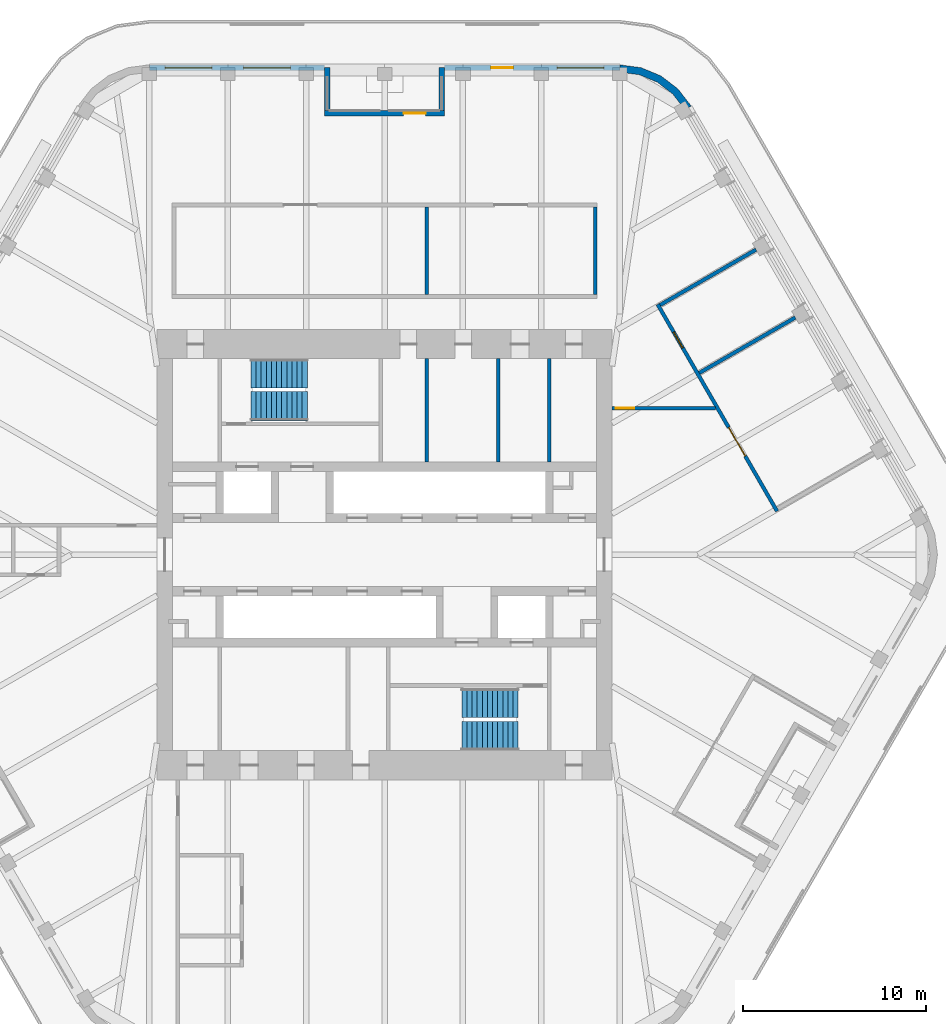
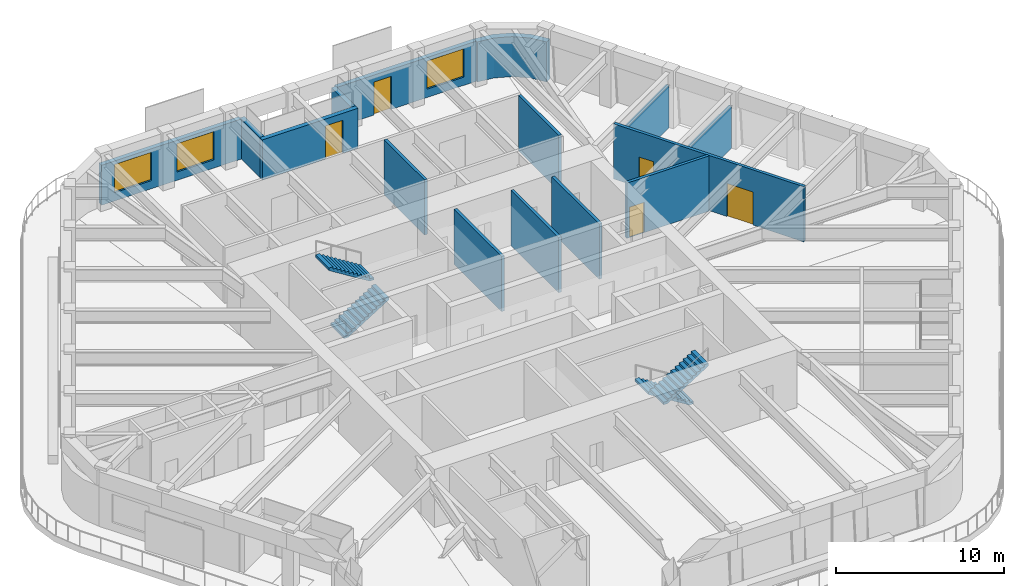
# One storey, part 16 of 19: 15 walls, 5 doors, 4 stair flights, 3 windows, 8 openings, 2 elements without a shape of their own.
"""IFC4 building model written with IfcOpenShell, lengths in metres."""

import ifcopenshell
import ifcopenshell.guid

model = None  # the IFC model being written
_history = None  # IfcOwnerHistory: only IFC2X3 demands one
_inside = {}  # id of a spatial element -> (the spatial element, [elements in it])
_under = {}  # id of a project, library or spatial element -> (it, [spatial elements below it])
_declared = {}  # id of a project -> (the project, [libraries it declares])
_typed = {}  # id of a type object -> (the type object, [elements of that type])
_made_of = {}  # id of a material, layer set ... -> (it, [elements and type objects made of it])


def new_model(schema):
    """Start an empty IFC model of exactly this schema.

    Asked for "IFC4X3", IfcOpenShell would pick the latest addendum, in which some entities
    have other attributes; the version numbers below select the first issue.
    IFC2X3 requires an IfcOwnerHistory on every rooted entity: one is made here for all.
    """
    global model, _history
    if schema == "IFC4X3":
        model = ifcopenshell.file(schema_version=(4, 3, 0, 0))
    else:
        model = ifcopenshell.file(schema=schema)
    _inside.clear()
    _under.clear()
    _declared.clear()
    _typed.clear()
    _made_of.clear()
    _history = None
    if model.schema == "IFC2X3":
        org = make("IfcOrganization", Name="unknown")
        user = make(
            "IfcPersonAndOrganization",
            ThePerson=make("IfcPerson", FamilyName="unknown"),
            TheOrganization=org,
        )
        app = make(
            "IfcApplication",
            ApplicationDeveloper=org,
            Version="unknown",
            ApplicationFullName="unknown",
            ApplicationIdentifier="unknown",
        )
        _history = make(
            "IfcOwnerHistory",
            OwningUser=user,
            OwningApplication=app,
            ChangeAction="ADDED",
            CreationDate=0,
        )
    return model


def make(cls, **values):
    """One entity of the class cls with the attributes given. An attribute that is None is left unset."""
    return model.create_entity(
        cls, **{name: value for name, value in values.items() if value is not None}
    )


def rooted(cls, **values):
    """An entity with a GlobalId (a new one), such as an element, a storey or a relation."""
    return make(cls, GlobalId=ifcopenshell.guid.new(), OwnerHistory=_history, **values)


def si_unit(unit_type, name, prefix=None):
    """IfcSIUnit, for example si_unit("LENGTHUNIT", "METRE", prefix="MILLI")."""
    return make("IfcSIUnit", UnitType=unit_type, Prefix=prefix, Name=name)


def assignment(units):
    """IfcUnitAssignment: the units of a project."""
    return None if units is None else make("IfcUnitAssignment", Units=units)


def point(xyz):
    """IfcCartesianPoint."""
    return None if xyz is None else make("IfcCartesianPoint", Coordinates=xyz)


def direction(xyz):
    """IfcDirection."""
    return None if xyz is None else make("IfcDirection", DirectionRatios=xyz)


def frame(location, z_axis=None, x_axis=None):
    """IfcAxis2Placement3D, a coordinate frame: its origin and axes. An axis left out is left unset."""
    return make(
        "IfcAxis2Placement3D",
        Location=point(location),
        Axis=direction(z_axis),
        RefDirection=direction(x_axis),
    )


def frame_2d(location, x_axis=None):
    """IfcAxis2Placement2D, a coordinate frame in the plane: its origin and x axis."""
    return make(
        "IfcAxis2Placement2D", Location=point(location), RefDirection=direction(x_axis)
    )


def origin():
    """The frame at (0, 0, 0) with its axes left unset."""
    return frame((0.0, 0.0, 0.0))


def place(relative_to, where):
    """IfcLocalPlacement: puts the frame where relative to a parent placement (None: the world)."""
    return make(
        "IfcLocalPlacement", PlacementRelTo=relative_to, RelativePlacement=where
    )


def context(
    kind, dimensions, precision=None, world=None, true_north=None, identifier=None
):
    """IfcGeometricRepresentationContext, for example the 3D "Model" context."""
    return make(
        "IfcGeometricRepresentationContext",
        ContextIdentifier=identifier,
        ContextType=kind,
        CoordinateSpaceDimension=dimensions,
        Precision=precision,
        WorldCoordinateSystem=world,
        TrueNorth=true_north,
    )


def subcontext(parent, identifier, kind, view, scale=None):
    """IfcGeometricRepresentationSubContext, for example "Body" below "Model"."""
    return make(
        "IfcGeometricRepresentationSubContext",
        ContextIdentifier=identifier,
        ContextType=kind,
        ParentContext=parent,
        TargetScale=scale,
        TargetView=view,
    )


def project(units=None, contexts=None):
    """IfcProject with its units and contexts."""
    return rooted(
        "IfcProject",
        Name="project",
        RepresentationContexts=contexts,
        UnitsInContext=assignment(units),
    )


def spatial(cls, under=None, at=None, **own):
    """A site, building, storey or space (cls), placed at a placement, below another one or the project."""
    s = rooted(cls, ObjectPlacement=at, **own)
    if under is not None:
        _under.setdefault(under.id(), (under, []))[1].append(s)
    return s


def polyline(points):
    """IfcPolyline through the points."""
    return make("IfcPolyline", Points=[point(p) for p in points])


def profile(cls, at=None, kind="AREA", **sizes):
    """A parametric profile (cls). Its sizes go by their IFC names, for example OverallWidth=200.0."""
    return make(cls, ProfileType=kind, Position=at, **sizes)


def rectangle(**sizes):
    """IfcRectangleProfileDef."""
    return profile("IfcRectangleProfileDef", **sizes)


def outline(outer, holes=None, kind="AREA"):
    """IfcArbitraryClosedProfileDef: a profile drawn as a closed curve; with holes, ...WithVoids."""
    if holes is None:
        return make("IfcArbitraryClosedProfileDef", ProfileType=kind, OuterCurve=outer)
    return make(
        "IfcArbitraryProfileDefWithVoids",
        ProfileType=kind,
        OuterCurve=outer,
        InnerCurves=holes,
    )


def extrude(swept, where, along, depth):
    """IfcExtrudedAreaSolid: the profile swept, set in the frame where, extruded along a direction by depth."""
    return make(
        "IfcExtrudedAreaSolid",
        SweptArea=swept,
        Position=where,
        ExtrudedDirection=direction(along),
        Depth=depth,
    )


def shape(context_of_items, identifier, shape_type, items):
    """IfcShapeRepresentation: the items that make up one representation, for example the "Body"."""
    return make(
        "IfcShapeRepresentation",
        ContextOfItems=context_of_items,
        RepresentationIdentifier=identifier,
        RepresentationType=shape_type,
        Items=items,
    )


def material(Name=None, Category=None):
    """IfcMaterial."""
    return make("IfcMaterial", Name=Name, Category=Category)


def layer(
    of_material, thickness, ventilated=None, Name=None, Category=None, Priority=None
):
    """IfcMaterialLayer: one layer of a wall or slab, of a material (None: an air gap)."""
    return make(
        "IfcMaterialLayer",
        Material=of_material,
        LayerThickness=thickness,
        IsVentilated=ventilated,
        Name=Name,
        Category=Category,
        Priority=Priority,
    )


def layer_set(layers, Name=None):
    """IfcMaterialLayerSet."""
    return make("IfcMaterialLayerSet", MaterialLayers=layers, LayerSetName=Name)


def made_of(thing, what):
    """Note that an element or type object is made of a material, layer set ...; save() writes the relation."""
    if what is not None:
        _made_of.setdefault(what.id(), (what, []))[1].append(thing)
    return thing


def type_object(cls, material=None, **own):
    """A type object (cls), such as IfcWallType, which elements share."""
    return made_of(rooted(cls, **own), material)


def element(
    cls,
    number,
    at=None,
    inside=None,
    cuts=None,
    type_object=None,
    material=None,
    context=None,
    identifier="Body",
    shape_type=None,
    held_by="IfcProductDefinitionShape",
    body=None,
    shapes=None,
    **own,
):
    """One element of the class cls, such as IfcWall. Its Tag is "e" and its number.

    at: its placement. inside: the storey or other place that contains it. cuts: it is an
    opening in that element (IfcRelVoidsElement). A single representation is given by context,
    identifier, shape_type and body (its items); several are given by shapes. held_by: the class
    of the entity that holds the representations. save() writes the other relations.
    """
    e = rooted(cls, Tag="e%d" % number, ObjectPlacement=at, **own)
    if body is not None:
        shapes = [shape(context, identifier, shape_type, body)]
    if shapes is not None:
        e.Representation = make(held_by, Representations=shapes)
    if inside is not None:
        _inside.setdefault(inside.id(), (inside, []))[1].append(e)
    if cuts is not None:
        rooted(
            "IfcRelVoidsElement", RelatingBuildingElement=cuts, RelatedOpeningElement=e
        )
    if type_object is not None:
        _typed.setdefault(type_object.id(), (type_object, []))[1].append(e)
    return made_of(e, material)


def fill(opening, filler):
    """IfcRelFillsElement: the door or window that sits in an opening."""
    return rooted(
        "IfcRelFillsElement",
        RelatingOpeningElement=opening,
        RelatedBuildingElement=filler,
    )


def aggregate(whole, parts):
    """IfcRelAggregates: a whole, such as a stair, and the parts it consists of."""
    return rooted("IfcRelAggregates", RelatingObject=whole, RelatedObjects=parts)


def save(model, path):
    """Write the relations noted so far, then the file.

    IfcRelAggregates (storeys below a building ...), IfcRelContainedInSpatialStructure (elements
    in a storey), IfcRelDefinesByType, IfcRelAssociatesMaterial and IfcRelDeclares: one each for
    every whole, place, type object, material and project.
    """
    for whole, parts in _under.values():
        aggregate(whole, parts)
    for where, things in _inside.values():
        rooted(
            "IfcRelContainedInSpatialStructure",
            RelatedElements=things,
            RelatingStructure=where,
        )
    for kind, things in _typed.values():
        rooted("IfcRelDefinesByType", RelatedObjects=things, RelatingType=kind)
    for what, things in _made_of.values():
        rooted("IfcRelAssociatesMaterial", RelatedObjects=things, RelatingMaterial=what)
    for by, libraries in _declared.values():
        rooted("IfcRelDeclares", RelatingContext=by, RelatedDefinitions=libraries)
    model.write(path)


model = new_model("IFC4")

# Units and contexts
model_context = context("Model", 3, precision=1e-05, world=origin(), true_north=direction((0.0, 1.0)))
body_context = subcontext(model_context, "Body", "Model", "MODEL_VIEW")
ifc_project = project(units=[si_unit("LENGTHUNIT", "METRE"), si_unit("AREAUNIT", "SQUARE_METRE"), si_unit("VOLUMEUNIT", "CUBIC_METRE"), si_unit("PLANEANGLEUNIT", "RADIAN"), si_unit("MASSUNIT", "GRAM", prefix="KILO")], contexts=[model_context])

# Site, building, storey
site_placement = place(None, origin())
site = spatial("IfcSite", under=ifc_project, at=site_placement, CompositionType="ELEMENT")
building_placement = place(site_placement, origin())
building = spatial("IfcBuilding", under=site, at=building_placement, Name="Tarfa Lantern Tower", CompositionType="ELEMENT")
storey_placement = place(building_placement, frame((0.0, 0.0, 387.10009765625)))
storey = spatial("IfcBuildingStorey", under=building, at=storey_placement, Name="L88", CompositionType="ELEMENT", Elevation=387.10009765625)

# Wall, openings, door, window
ifc_material_1 = material(Name="Limestone cladding on blockwork", Category="masonry")
ifc_layer_1 = layer(ifc_material_1, 0.300048828125)
ifc_layer_set_1 = layer_set([ifc_layer_1], Name="EW1 STONE-CLAD WALL 300")
wall_type_1 = type_object("IfcWallType", Name="EW1 STONE-CLAD WALL 300", PredefinedType="SOLIDWALL", material=ifc_layer_set_1)
wall_1_placement = place(storey_placement, frame((12.845947265625, 26.60009765625, 0.0), z_axis=(0.0, 0.0, 1.0), x_axis=(-1.0, 0.0, 0.0)))
wall_1 = element("IfcWall", 1, at=wall_1_placement, inside=storey, type_object=wall_type_1, Name="Stone wall N", PredefinedType="SOLIDWALL", context=body_context, shape_type="SweptSolid", body=[
    extrude(rectangle(XDim=9.56396484375, YDim=0.300048828125, at=frame_2d((4.781982421875, 0.0))), origin(), (0.0, 0.0, 1.0), 2.89990234375),
])
opening_1_placement = place(wall_1_placement, frame((0.865966796875, 0.0, 0.60009765625)))
opening_1 = element("IfcOpeningElement", 2, at=opening_1_placement, cuts=wall_1, Name="Opening W17", PredefinedType="OPENING", context=body_context, shape_type="SweptSolid", body=[
    extrude(rectangle(XDim=2.550048828125, YDim=2.050048828125, at=frame_2d((1.27490234375, 1.02490234375))), frame((0.0, 0.159912109375, 0.0), z_axis=(0.0, -1.0, 0.0), x_axis=(1.0, 0.0, 0.0)), (0.0, 0.0, 1.0), 0.320068359375),
])
opening_2_placement = place(wall_1_placement, frame((5.822998046875, 0.0, 0.0)))
opening_2 = element("IfcOpeningElement", 3, at=opening_2_placement, cuts=wall_1, Name="Opening D34", PredefinedType="OPENING", context=body_context, shape_type="SweptSolid", body=[
    extrude(rectangle(XDim=1.199951171875, YDim=2.39990234375, at=frame_2d((0.60009765625, 1.199951171875))), frame((0.0, 0.159912109375, 0.0), z_axis=(0.0, -1.0, 0.0), x_axis=(1.0, 0.0, 0.0)), (0.0, 0.0, 1.0), 0.320068359375),
])
ifc_material_2 = material(Name="Aluminium framed glazed door", Category="aluminium")
door_type_1 = type_object("IfcDoorType", Name="BE3 BALCONY DOOR 1200x2400", OperationType="SINGLE_SWING_RIGHT", PredefinedType="DOOR", material=ifc_material_2)
door_1_placement = place(opening_2_placement, origin())
door_1 = element("IfcDoor", 4, at=door_1_placement, inside=storey, type_object=door_type_1, Name="Balcony door N", OperationType="SINGLE_SWING_LEFT", OverallHeight=2.39990234375, OverallWidth=1.199951171875, PredefinedType="DOOR", context=body_context, shape_type="SweptSolid", body=[
    extrude(rectangle(XDim=1.199951171875, YDim=2.39990234375, at=frame_2d((0.60009765625, 1.199951171875))), frame((0.0, 0.02490234375, 0.0), z_axis=(0.0, -1.0, 0.0), x_axis=(1.0, 0.0, 0.0)), (0.0, 0.0, 1.0), 0.050048828125),
])
fill(opening_2, door_1)
ifc_material_3 = material(Name="Aluminium frame, double glazed", Category="aluminium")
window_type = type_object("IfcWindowType", Name="W17 FULL-HEIGHT GLAZING 2550x2050", PartitioningType="SINGLE_PANEL", PredefinedType="WINDOW", material=ifc_material_3)
window_1_placement = place(opening_1_placement, origin())
window_1 = element("IfcWindow", 5, at=window_1_placement, inside=storey, type_object=window_type, Name="Window N 1", OverallHeight=2.050048828125, OverallWidth=2.550048828125, PartitioningType="SINGLE_PANEL", PredefinedType="WINDOW", context=body_context, shape_type="SweptSolid", body=[
    extrude(rectangle(XDim=2.550048828125, YDim=2.050048828125, at=frame_2d((1.27490234375, 1.02490234375))), frame((0.0, 0.030029296875, 0.0), z_axis=(0.0, -1.0, 0.0), x_axis=(1.0, 0.0, 0.0)), (0.0, 0.0, 1.0), 0.06005859375),
])
fill(opening_1, window_1)

# Wall, openings, windows
wall_2_placement = place(storey_placement, frame((-3.281982421875, 26.60009765625, 0.0), z_axis=(0.0, 0.0, 1.0), x_axis=(-1.0, 0.0, 0.0)))
wall_2 = element("IfcWall", 6, at=wall_2_placement, inside=storey, type_object=wall_type_1, Name="Stone wall NB", PredefinedType="SOLIDWALL", context=body_context, shape_type="SweptSolid", body=[
    extrude(rectangle(XDim=9.56396484375, YDim=0.300048828125, at=frame_2d((4.781982421875, 0.0))), origin(), (0.0, 0.0, 1.0), 2.89990234375),
])
opening_3_placement = place(wall_2_placement, frame((1.865966796875, 0.0, 0.60009765625)))
opening_3 = element("IfcOpeningElement", 7, at=opening_3_placement, cuts=wall_2, Name="Opening W17", PredefinedType="OPENING", context=body_context, shape_type="SweptSolid", body=[
    extrude(rectangle(XDim=2.550048828125, YDim=2.050048828125, at=frame_2d((1.27490234375, 1.02490234375))), frame((0.0, 0.159912109375, 0.0), z_axis=(0.0, -1.0, 0.0), x_axis=(1.0, 0.0, 0.0)), (0.0, 0.0, 1.0), 0.320068359375),
])
opening_4_placement = place(wall_2_placement, frame((6.14794921875, 0.0, 0.60009765625)))
opening_4 = element("IfcOpeningElement", 8, at=opening_4_placement, cuts=wall_2, Name="Opening W17", PredefinedType="OPENING", context=body_context, shape_type="SweptSolid", body=[
    extrude(rectangle(XDim=2.550048828125, YDim=2.050048828125, at=frame_2d((1.27490234375, 1.02490234375))), frame((0.0, 0.159912109375, 0.0), z_axis=(0.0, -1.0, 0.0), x_axis=(1.0, 0.0, 0.0)), (0.0, 0.0, 1.0), 0.320068359375),
])
window_2_placement = place(opening_3_placement, origin())
window_2 = element("IfcWindow", 9, at=window_2_placement, inside=storey, type_object=window_type, Name="Window NB 1", OverallHeight=2.050048828125, OverallWidth=2.550048828125, PartitioningType="SINGLE_PANEL", PredefinedType="WINDOW", context=body_context, shape_type="SweptSolid", body=[
    extrude(rectangle(XDim=2.550048828125, YDim=2.050048828125, at=frame_2d((1.27490234375, 1.02490234375))), frame((0.0, 0.030029296875, 0.0), z_axis=(0.0, -1.0, 0.0), x_axis=(1.0, 0.0, 0.0)), (0.0, 0.0, 1.0), 0.06005859375),
])
fill(opening_3, window_2)
window_3_placement = place(opening_4_placement, origin())
window_3 = element("IfcWindow", 10, at=window_3_placement, inside=storey, type_object=window_type, Name="Window NB 2", OverallHeight=2.050048828125, OverallWidth=2.550048828125, PartitioningType="SINGLE_PANEL", PredefinedType="WINDOW", context=body_context, shape_type="SweptSolid", body=[
    extrude(rectangle(XDim=2.550048828125, YDim=2.050048828125, at=frame_2d((1.27490234375, 1.02490234375))), frame((0.0, 0.030029296875, 0.0), z_axis=(0.0, -1.0, 0.0), x_axis=(1.0, 0.0, 0.0)), (0.0, 0.0, 1.0), 0.06005859375),
])
fill(opening_4, window_3)

# Walls
for number, where, z_axis, x_axis, name in (
    (11, (3.132080078125, 26.60009765625, 0.0), (0.0, 0.0, 1.0), (0.0, -1.0, 0.0), "Terrace return N 1"),
    (12, (-3.132080078125, 26.60009765625, 0.0), (0.0, 0.0, 1.0), (0.0, -1.0, 0.0), "Terrace return N 2"),
):
    element("IfcWall", number, at=place(storey_placement, frame(where, z_axis=z_axis, x_axis=x_axis)), inside=storey, type_object=wall_type_1, Name=name, PredefinedType="SOLIDWALL", context=body_context, shape_type="SweptSolid", body=[
        extrude(rectangle(XDim=2.35009765625, YDim=0.300048828125, at=frame_2d((1.175048828125, 0.0))), origin(), (0.0, 0.0, 1.0), 2.89990234375),
    ])

# Wall, opening, door
wall_3_placement = place(storey_placement, frame((3.281982421875, 24.10009765625, 0.0), z_axis=(0.0, 0.0, 1.0), x_axis=(-1.0, 0.0, 0.0)))
wall_3 = element("IfcWall", 13, at=wall_3_placement, inside=storey, type_object=wall_type_1, Name="Stone wall NS", PredefinedType="SOLIDWALL", context=body_context, shape_type="SweptSolid", body=[
    extrude(rectangle(XDim=6.56396484375, YDim=0.300048828125, at=frame_2d((3.281982421875, 0.0))), origin(), (0.0, 0.0, 1.0), 2.89990234375),
])
opening_5_placement = place(wall_3_placement, frame((1.041015625, 0.0, 0.0)))
opening_5 = element("IfcOpeningElement", 14, at=opening_5_placement, cuts=wall_3, Name="Opening D35", PredefinedType="OPENING", context=body_context, shape_type="SweptSolid", body=[
    extrude(rectangle(XDim=1.199951171875, YDim=2.39990234375, at=frame_2d((0.60009765625, 1.199951171875))), frame((0.0, 0.159912109375, 0.0), z_axis=(0.0, -1.0, 0.0), x_axis=(1.0, 0.0, 0.0)), (0.0, 0.0, 1.0), 0.320068359375),
])
door_2_placement = place(opening_5_placement, origin())
door_2 = element("IfcDoor", 15, at=door_2_placement, inside=storey, type_object=door_type_1, Name="Balcony door NS", OperationType="SINGLE_SWING_RIGHT", OverallHeight=2.39990234375, OverallWidth=1.199951171875, PredefinedType="DOOR", context=body_context, shape_type="SweptSolid", body=[
    extrude(rectangle(XDim=1.199951171875, YDim=2.39990234375, at=frame_2d((0.60009765625, 1.199951171875))), frame((0.0, 0.02490234375, 0.0), z_axis=(0.0, -1.0, 0.0), x_axis=(1.0, 0.0, 0.0)), (0.0, 0.0, 1.0), 0.050048828125),
])
fill(opening_5, door_2)

# Walls
ifc_layer_2 = layer(ifc_material_1, 0.39990234375)
ifc_layer_set_2 = layer_set([ifc_layer_2], Name="EW2 CURVED STONE CORNER 400")
wall_type_2 = type_object("IfcWallType", Name="EW2 CURVED STONE CORNER 400", PredefinedType="SOLIDWALL", material=ifc_layer_set_2)
wall_4_placement = place(storey_placement, origin())
element("IfcWall", 16, at=wall_4_placement, inside=storey, type_object=wall_type_2, Name="Stone corner NE-N", PredefinedType="SOLIDWALL", context=body_context, shape_type="SweptSolid", body=[
    extrude(outline(polyline([(16.7431640625, 24.5), (16.028076171875, 25.431884765625), (15.095947265625, 26.147216796875), (14.0107421875, 26.5966796875), (12.845947265625, 26.75), (12.845947265625, 26.35009765625), (13.9072265625, 26.210205078125), (14.89599609375, 25.80078125), (15.7451171875, 25.149169921875), (16.396728515625, 24.300048828125), (16.7431640625, 24.5)])), origin(), (0.0, 0.0, 1.0), 2.89990234375),
])
ifc_material_4 = material(Name="Concrete blockwork", Category="masonry")
ifc_layer_3 = layer(ifc_material_4, 0.199951171875)
ifc_layer_set_3 = layer_set([ifc_layer_3], Name="IW1 BLOCKWORK PARTITION 200 EI 120")
wall_type_3 = type_object("IfcWallType", Name="IW1 BLOCKWORK PARTITION 200 EI 120", PredefinedType="PARTITIONING", material=ifc_layer_set_3)
for number, where, z_axis, x_axis, name in (
    (17, (9.0, 5.050048828125, 0.0), (0.0, 0.0, 1.0), (0.0, 1.0, 0.0), "Core partition"),
    (18, (2.300048828125, 5.050048828125, 0.0), (0.0, 0.0, 1.0), (0.0, 1.0, 0.0), "Core partition"),
    (19, (6.199951171875, 5.050048828125, 0.0), (0.0, 0.0, 1.0), (0.0, 1.0, 0.0), "Core partition"),
):
    element("IfcWall", number, at=place(storey_placement, frame(where, z_axis=z_axis, x_axis=x_axis)), inside=storey, type_object=wall_type_3, Name=name, PredefinedType="PARTITIONING", context=body_context, shape_type="SweptSolid", body=[
        extrude(rectangle(XDim=5.64990234375, YDim=0.199951171875, at=frame_2d((2.824951171875, 0.0))), origin(), (0.0, 0.0, 1.0), 4.0),
    ])
ifc_material_5 = material(Name="Gypsum board on steel studs", Category="steel")
ifc_layer_4 = layer(ifc_material_5, 0.2099609375)
ifc_layer_set_4 = layer_set([ifc_layer_4], Name="IW2 ACOUSTIC PARTITION 200")
wall_type_4 = type_object("IfcWallType", Name="IW2 ACOUSTIC PARTITION 200", PredefinedType="PARTITIONING", material=ifc_layer_set_4)
for number, where, z_axis, x_axis, name in (
    (20, (2.300048828125, 14.199951171875, 0.0), (0.0, 0.0, 1.0), (0.0, 1.0, 0.0), "Partition"),
    (21, (11.5, 14.199951171875, 0.0), (0.0, 0.0, 1.0), (0.0, 1.0, 0.0), "Partition"),
):
    element("IfcWall", number, at=place(storey_placement, frame(where, z_axis=z_axis, x_axis=x_axis)), inside=storey, type_object=wall_type_4, Name=name, PredefinedType="PARTITIONING", context=body_context, shape_type="SweptSolid", body=[
        extrude(rectangle(XDim=4.800048828125, YDim=0.199951171875, at=frame_2d((2.39990234375, 0.0))), origin(), (0.0, 0.0, 1.0), 4.0),
    ])

# Wall, openings, doors
wall_5_placement = place(storey_placement, frame((21.43603515625, 2.371826171875, 0.0), z_axis=(0.0, 0.0, 1.0), x_axis=(-0.499999460936, 0.866025715013, 0.0)))
wall_5 = element("IfcWall", 22, at=wall_5_placement, inside=storey, type_object=wall_type_4, Name="Partition", PredefinedType="PARTITIONING", context=body_context, shape_type="SweptSolid", body=[
    extrude(rectangle(XDim=13.0458984375, YDim=0.199951171875, at=frame_2d((6.52294921875, 0.0))), origin(), (0.0, 0.0, 1.0), 4.0),
])
opening_6_placement = place(wall_5_placement, frame((3.48193359375, 0.0, 0.0)))
opening_6 = element("IfcOpeningElement", 23, at=opening_6_placement, cuts=wall_5, Name="Opening D21", PredefinedType="OPENING", context=body_context, shape_type="SweptSolid", body=[
    extrude(rectangle(XDim=1.800048828125, YDim=2.39990234375, at=frame_2d((0.89990234375, 1.199951171875))), frame((0.0, 0.10986328125, 0.0), z_axis=(0.0, -1.0, 0.0), x_axis=(1.0, 0.0, 0.0)), (0.0, 0.0, 1.0), 0.219970703125),
])
opening_7_placement = place(wall_5_placement, frame((10.304931640625, 0.0, 0.0)))
opening_7 = element("IfcOpeningElement", 24, at=opening_7_placement, cuts=wall_5, Name="Opening D22", PredefinedType="OPENING", context=body_context, shape_type="SweptSolid", body=[
    extrude(rectangle(XDim=1.0, YDim=2.199951171875, at=frame_2d((0.5, 1.10009765625))), frame((0.0, 0.10986328125, 0.0), z_axis=(0.0, -1.0, 0.0), x_axis=(1.0, 0.0, 0.0)), (0.0, 0.0, 1.0), 0.219970703125),
])
ifc_material_6 = material(Name="Timber door", Category="wood")
door_type_2 = type_object("IfcDoorType", Name="DR1 ROOM DOOR 1000x2200", OperationType="SINGLE_SWING_LEFT", PredefinedType="DOOR", material=ifc_material_6)
door_3_placement = place(opening_7_placement, frame((1.0, 0.0, 0.0), z_axis=(0.0, 0.0, 1.0), x_axis=(-1.0, 0.0, 0.0)))
door_3 = element("IfcDoor", 25, at=door_3_placement, inside=storey, type_object=door_type_2, Name="Private dining room door", OperationType="SINGLE_SWING_RIGHT", OverallHeight=2.199951171875, OverallWidth=1.0, PredefinedType="DOOR", context=body_context, shape_type="SweptSolid", body=[
    extrude(rectangle(XDim=1.0, YDim=2.199951171875, at=frame_2d((0.5, 1.10009765625))), frame((0.0, 0.02490234375, 0.0), z_axis=(0.0, -1.0, 0.0), x_axis=(1.0, 0.0, 0.0)), (0.0, 0.0, 1.0), 0.050048828125),
])
fill(opening_7, door_3)
door_type_3 = type_object("IfcDoorType", Name="DR2 ROOM DOOR 1800x2400", OperationType="DOUBLE_DOOR_SINGLE_SWING", PredefinedType="DOOR", material=ifc_material_6)
door_4_placement = place(opening_6_placement, frame((1.800048828125, 0.0, 0.0), z_axis=(0.0, 0.0, 1.0), x_axis=(-1.0, 0.0, 0.0)))
door_4 = element("IfcDoor", 26, at=door_4_placement, inside=storey, type_object=door_type_3, Name="Private dining room door", OperationType="DOUBLE_DOOR_SINGLE_SWING", OverallHeight=2.39990234375, OverallWidth=1.800048828125, PredefinedType="DOOR", context=body_context, shape_type="SweptSolid", body=[
    extrude(rectangle(XDim=1.800048828125, YDim=2.39990234375, at=frame_2d((0.89990234375, 1.199951171875))), frame((0.0, 0.02490234375, 0.0), z_axis=(0.0, -1.0, 0.0), x_axis=(1.0, 0.0, 0.0)), (0.0, 0.0, 1.0), 0.050048828125),
])
fill(opening_6, door_4)

# Walls
for number, where, z_axis, x_axis, name in (
    (27, (17.190673828125, 9.925048828125, 0.0), (0.0, 0.0, 1.0), (0.866034387366, 0.499984439657, 0.0), "Partition"),
    (28, (15.049560546875, 13.63330078125, 0.0), (0.0, 0.0, 1.0), (0.866016913815, 0.50001470477, 0.0), "Partition"),
):
    element("IfcWall", number, at=place(storey_placement, frame(where, z_axis=z_axis, x_axis=x_axis)), inside=storey, type_object=wall_type_4, Name=name, PredefinedType="PARTITIONING", context=body_context, shape_type="SweptSolid", body=[
        extrude(rectangle(XDim=6.050048828125, YDim=0.199951171875, at=frame_2d((3.02490234375, 0.0))), origin(), (0.0, 0.0, 1.0), 3.08154296875),
    ])

# Wall, opening, door
wall_6_placement = place(storey_placement, frame((12.425048828125, 8.0, 0.0), z_axis=(0.0, 0.0, 1.0), x_axis=(1.0, 0.0, 0.0)))
wall_6 = element("IfcWall", 29, at=wall_6_placement, inside=storey, type_object=wall_type_4, Name="Partition", PredefinedType="PARTITIONING", context=body_context, shape_type="SweptSolid", body=[
    extrude(rectangle(XDim=5.64599609375, YDim=0.199951171875, at=frame_2d((2.822998046875, 0.0))), origin(), (0.0, 0.0, 1.0), 4.0),
])
opening_8_placement = place(wall_6_placement, frame((0.199951171875, 0.0, 0.0)))
opening_8 = element("IfcOpeningElement", 30, at=opening_8_placement, cuts=wall_6, Name="Opening D31", PredefinedType="OPENING", context=body_context, shape_type="SweptSolid", body=[
    extrude(rectangle(XDim=1.0, YDim=2.199951171875, at=frame_2d((0.5, 1.10009765625))), frame((0.0, 0.10986328125, 0.0), z_axis=(0.0, -1.0, 0.0), x_axis=(1.0, 0.0, 0.0)), (0.0, 0.0, 1.0), 0.219970703125),
])
door_5_placement = place(opening_8_placement, origin())
door_5 = element("IfcDoor", 31, at=door_5_placement, inside=storey, type_object=door_type_2, Name="Zone door", OperationType="SINGLE_SWING_RIGHT", OverallHeight=2.199951171875, OverallWidth=1.0, PredefinedType="DOOR", context=body_context, shape_type="SweptSolid", body=[
    extrude(rectangle(XDim=1.0, YDim=2.199951171875, at=frame_2d((0.5, 1.10009765625))), frame((0.0, 0.02490234375, 0.0), z_axis=(0.0, -1.0, 0.0), x_axis=(1.0, 0.0, 0.0)), (0.0, 0.0, 1.0), 0.050048828125),
])
fill(opening_8, door_5)

# Stair, stair flights
ifc_material_7 = material(Name="Concrete C40/50", Category="concrete")
stair_type = type_object("IfcStairType", Name="ST-T10 HALF-TURN STAIR 4200 RISE", PredefinedType="HALF_TURN_STAIR", material=ifc_material_7)
stair_1_placement = place(storey_placement, origin())
stair_1 = element("IfcStair", 32, at=stair_1_placement, inside=storey, type_object=stair_type, Name="Stair ST1", PredefinedType="HALF_TURN_STAIR")
stair_flight_type = type_object("IfcStairFlightType", Name="SF1 STAIR FLIGHT", PredefinedType="STRAIGHT", material=ifc_material_7)
stair_flight_1_placement = place(storey_placement, frame((-7.300048828125, 8.10009765625, 0.0), z_axis=(0.0, 0.0, 1.0), x_axis=(1.0, 0.0, 0.0)))
stair_flight_1 = element("IfcStairFlight", 33, at=stair_flight_1_placement, type_object=stair_flight_type, Name="ST1 flight 1", NumberOfRisers=12, NumberOfTreads=11, PredefinedType="STRAIGHT", RiserHeight=0.175, TreadLength=0.28, context=body_context, shape_type="SweptSolid", body=[
    extrude(outline(polyline([(0.0, 0.0), (0.0, 0.175048828125), (0.280029296875, 0.175048828125), (0.280029296875, 0.35009765625), (0.56005859375, 0.35009765625), (0.56005859375, 0.52490234375), (0.840087890625, 0.52490234375), (0.840087890625, 0.699951171875), (1.1201171875, 0.699951171875), (1.1201171875, 0.875), (1.39990234375, 0.875), (1.39990234375, 1.050048828125), (1.679931640625, 1.050048828125), (1.679931640625, 1.22509765625), (1.9599609375, 1.22509765625), (1.9599609375, 1.39990234375), (2.239990234375, 1.39990234375), (2.239990234375, 1.574951171875), (2.52001953125, 1.574951171875), (2.52001953125, 1.75), (2.800048828125, 1.75), (2.800048828125, 1.925048828125), (3.080078125, 1.925048828125), (3.080078125, 2.10009765625), (3.080078125, 1.748291015625), (0.28271484375, 0.0), (0.0, 0.0)])), frame((0.0, 0.800048828125, 0.0), z_axis=(0.0, -1.0, 0.0), x_axis=(1.0, 0.0, 0.0)), (0.0, 0.0, 1.0), 1.60009765625),
])
stair_flight_2_placement = place(storey_placement, frame((-4.219970703125, 9.89990234375, 2.099853515625), z_axis=(0.0, 0.0, 1.0), x_axis=(-1.0, 0.0, 0.0)))
stair_flight_2 = element("IfcStairFlight", 34, at=stair_flight_2_placement, type_object=stair_flight_type, Name="ST1 flight 2", NumberOfRisers=12, NumberOfTreads=11, PredefinedType="STRAIGHT", RiserHeight=0.175, TreadLength=0.28, context=body_context, shape_type="SweptSolid", body=[
    extrude(outline(polyline([(0.0, 0.0), (0.0, 0.175048828125), (0.280029296875, 0.175048828125), (0.280029296875, 0.35009765625), (0.56005859375, 0.35009765625), (0.56005859375, 0.52490234375), (0.840087890625, 0.52490234375), (0.840087890625, 0.699951171875), (1.1201171875, 0.699951171875), (1.1201171875, 0.875), (1.39990234375, 0.875), (1.39990234375, 1.050048828125), (1.679931640625, 1.050048828125), (1.679931640625, 1.22509765625), (1.9599609375, 1.22509765625), (1.9599609375, 1.39990234375), (2.239990234375, 1.39990234375), (2.239990234375, 1.574951171875), (2.52001953125, 1.574951171875), (2.52001953125, 1.75), (2.800048828125, 1.75), (2.800048828125, 1.925048828125), (3.080078125, 1.925048828125), (3.080078125, 2.10009765625), (3.080078125, 1.748291015625), (0.28271484375, 0.0), (0.0, 0.0)])), frame((0.0, 0.800048828125, 0.0), z_axis=(0.0, -1.0, 0.0), x_axis=(1.0, 0.0, 0.0)), (0.0, 0.0, 1.0), 1.60009765625),
])
aggregate(stair_1, [stair_flight_1, stair_flight_2])

stair_2_placement = place(storey_placement, origin())
stair_2 = element("IfcStair", 35, at=stair_2_placement, inside=storey, type_object=stair_type, Name="Stair ST2", PredefinedType="HALF_TURN_STAIR")
stair_flight_3_placement = place(storey_placement, frame((7.300048828125, -8.10009765625, 0.0), z_axis=(0.0, 0.0, 1.0), x_axis=(-1.0, 0.0, 0.0)))
stair_flight_3 = element("IfcStairFlight", 36, at=stair_flight_3_placement, type_object=stair_flight_type, Name="ST2 flight 1", NumberOfRisers=12, NumberOfTreads=11, PredefinedType="STRAIGHT", RiserHeight=0.175, TreadLength=0.28, context=body_context, shape_type="SweptSolid", body=[
    extrude(outline(polyline([(0.0, 0.0), (0.0, 0.175048828125), (0.280029296875, 0.175048828125), (0.280029296875, 0.35009765625), (0.56005859375, 0.35009765625), (0.56005859375, 0.52490234375), (0.840087890625, 0.52490234375), (0.840087890625, 0.699951171875), (1.1201171875, 0.699951171875), (1.1201171875, 0.875), (1.39990234375, 0.875), (1.39990234375, 1.050048828125), (1.679931640625, 1.050048828125), (1.679931640625, 1.22509765625), (1.9599609375, 1.22509765625), (1.9599609375, 1.39990234375), (2.239990234375, 1.39990234375), (2.239990234375, 1.574951171875), (2.52001953125, 1.574951171875), (2.52001953125, 1.75), (2.800048828125, 1.75), (2.800048828125, 1.925048828125), (3.080078125, 1.925048828125), (3.080078125, 2.10009765625), (3.080078125, 1.748291015625), (0.28271484375, 0.0), (0.0, 0.0)])), frame((0.0, 0.800048828125, 0.0), z_axis=(0.0, -1.0, 0.0), x_axis=(1.0, 0.0, 0.0)), (0.0, 0.0, 1.0), 1.60009765625),
])
stair_flight_4_placement = place(storey_placement, frame((4.219970703125, -9.89990234375, 2.099853515625), z_axis=(0.0, 0.0, 1.0), x_axis=(1.0, 0.0, 0.0)))
stair_flight_4 = element("IfcStairFlight", 37, at=stair_flight_4_placement, type_object=stair_flight_type, Name="ST2 flight 2", NumberOfRisers=12, NumberOfTreads=11, PredefinedType="STRAIGHT", RiserHeight=0.175, TreadLength=0.28, context=body_context, shape_type="SweptSolid", body=[
    extrude(outline(polyline([(0.0, 0.0), (0.0, 0.175048828125), (0.280029296875, 0.175048828125), (0.280029296875, 0.35009765625), (0.56005859375, 0.35009765625), (0.56005859375, 0.52490234375), (0.840087890625, 0.52490234375), (0.840087890625, 0.699951171875), (1.1201171875, 0.699951171875), (1.1201171875, 0.875), (1.39990234375, 0.875), (1.39990234375, 1.050048828125), (1.679931640625, 1.050048828125), (1.679931640625, 1.22509765625), (1.9599609375, 1.22509765625), (1.9599609375, 1.39990234375), (2.239990234375, 1.39990234375), (2.239990234375, 1.574951171875), (2.52001953125, 1.574951171875), (2.52001953125, 1.75), (2.800048828125, 1.75), (2.800048828125, 1.925048828125), (3.080078125, 1.925048828125), (3.080078125, 2.10009765625), (3.080078125, 1.748291015625), (0.28271484375, 0.0), (0.0, 0.0)])), frame((0.0, 0.800048828125, 0.0), z_axis=(0.0, -1.0, 0.0), x_axis=(1.0, 0.0, 0.0)), (0.0, 0.0, 1.0), 1.60009765625),
])
aggregate(stair_2, [stair_flight_3, stair_flight_4])

save(model, "model.ifc")
